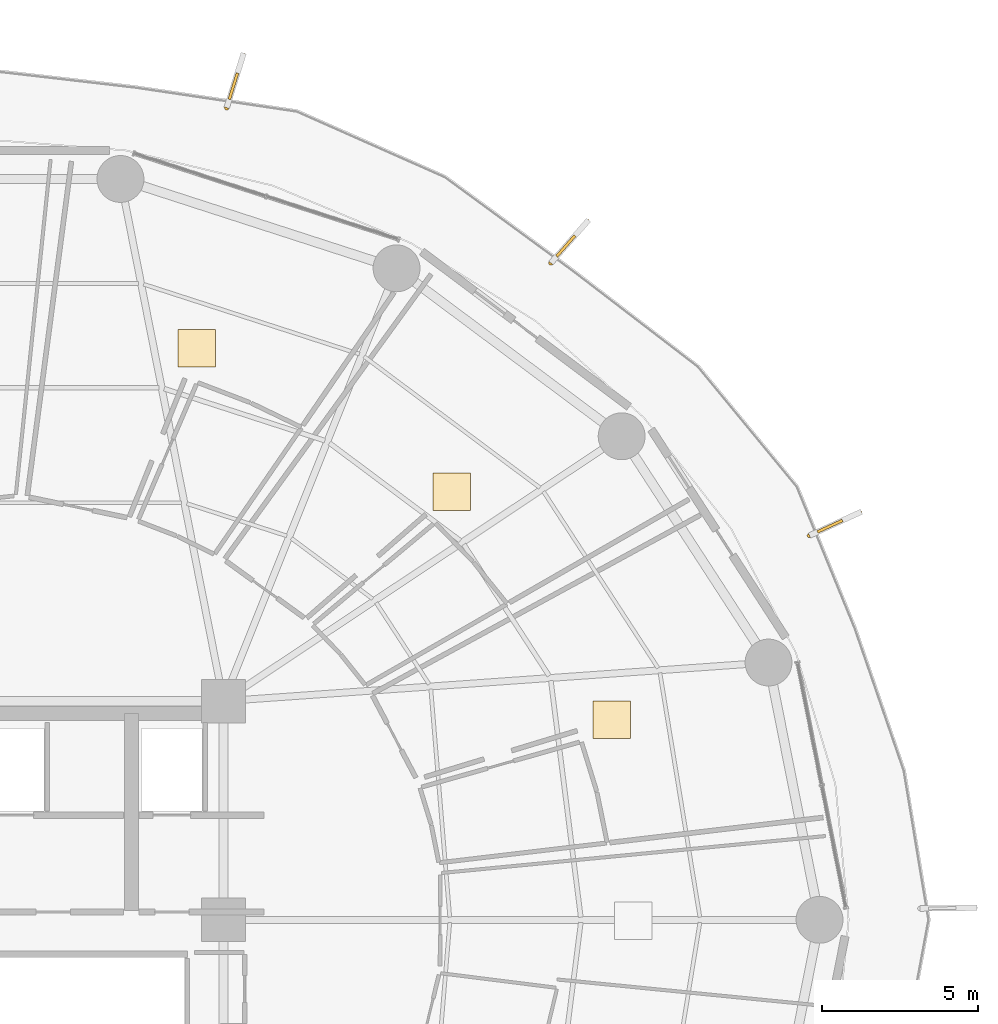
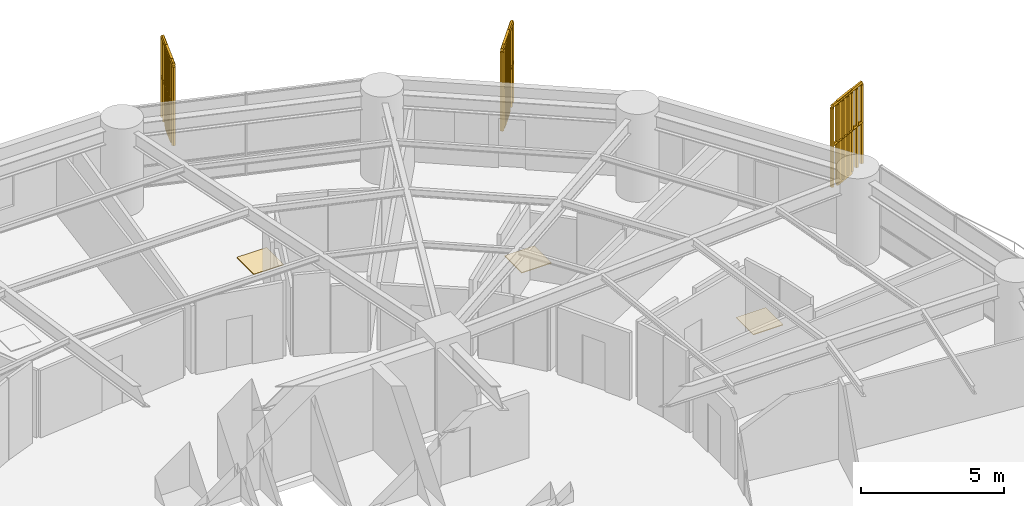
# One storey, part 32 of 32: 3 coverings, 3 railings, 3 shading devices.
"""IFC4 building model written with IfcOpenShell, lengths in metres."""

from ifc_helpers import new_model, si_unit, direction, frame, origin, origin_2d, place, context, subcontext, project, spatial, polyline, rectangle, outline, extrude, source, transform, mapped, material, layer, layer_set, type_object, element, save


model = new_model("IFC4")

# Units and contexts
model_context = context("Model", 3, precision=1e-05, world=origin(), true_north=direction((0.0, 1.0)))
body_context = subcontext(model_context, "Body", "Model", "MODEL_VIEW")
ifc_project = project(units=[si_unit("LENGTHUNIT", "METRE"), si_unit("AREAUNIT", "SQUARE_METRE"), si_unit("VOLUMEUNIT", "CUBIC_METRE"), si_unit("PLANEANGLEUNIT", "RADIAN"), si_unit("MASSUNIT", "GRAM", prefix="KILO")], contexts=[model_context])

# Site, building, storey
site_placement = place(None, origin())
site = spatial("IfcSite", under=ifc_project, at=site_placement, CompositionType="ELEMENT")
building_placement = place(site_placement, origin())
building = spatial("IfcBuilding", under=site, at=building_placement, Name="Kelanora Arch Commons", CompositionType="ELEMENT")
storey_placement = place(building_placement, frame((0.0, 0.0, 48.75)))
storey = spatial("IfcBuildingStorey", under=building, at=storey_placement, Name="L12", CompositionType="ELEMENT", Elevation=48.75)

# Railings
ifc_material_1 = material(Name="Anodised bronze vertical shading fin rib assembly")
railing_type = type_object("IfcRailingType", Name="RAIL-FIN-BRZ", PredefinedType="BALUSTRADE", material=ifc_material_1)
railing_1_placement = place(storey_placement, frame((100.759521484375, 70.300537109375, -0.02001953125)))
element("IfcRailing", 1, at=railing_1_placement, inside=storey, type_object=railing_type, Name="Sweeping Bronze Vertical Fin Blade L12-00", PredefinedType="BALUSTRADE", context=body_context, shape_type="SweptSolid", body=[
    extrude(outline(polyline([(0.06982421875, 0.0), (0.034912109375, 0.060546875), (-0.034912109375, 0.060546875), (-0.06982421875, 0.0), (-0.034912109375, -0.060546875), (0.034912109375, -0.060546875), (0.06982421875, 0.0)])), frame((0.0, 0.0, 3.419921875), z_axis=(0.908589016754, 0.417691271916, 0.0), x_axis=(-0.417691271916, 0.908589016754, 0.0)), (0.0, 0.0, 1.0), 1.767578125),
    extrude(outline(polyline([(0.06982421875, 0.0), (0.034912109375, 0.060546875), (-0.034912109375, 0.060546875), (-0.06982421875, 0.0), (-0.034912109375, -0.060546875), (0.034912109375, -0.060546875), (0.06982421875, 0.0)])), frame((0.0, 0.0, 1.7451171875), z_axis=(0.908589016754, 0.417691271916, 0.0), x_axis=(-0.417691271916, 0.908589016754, 0.0)), (0.0, 0.0, 1.0), 1.767578125),
    extrude(outline(polyline([(0.080078125, 0.0), (0.0400390625, 0.0693359375), (-0.0400390625, 0.0693359375), (-0.080078125, 0.0), (-0.0400390625, -0.0693359375), (0.0400390625, -0.0693359375), (0.080078125, 0.0)])), origin(), (0.0, 0.0, 1.0), 3.35009765625),
    extrude(outline(polyline([(0.080078125, 0.0), (0.0400390625, 0.0693359375), (-0.0400390625, 0.0693359375), (-0.080078125, 0.0), (-0.0400390625, -0.0693359375), (0.0400390625, -0.0693359375), (0.080078125, 0.0)])), frame((0.267578125, 0.123046875, 0.0)), (0.0, 0.0, 1.0), 3.35009765625),
    extrude(outline(polyline([(0.080078125, 0.0), (0.0400390625, 0.0693359375), (-0.0400390625, 0.0693359375), (-0.080078125, 0.0), (-0.0400390625, -0.0693359375), (0.0400390625, -0.0693359375), (0.080078125, 0.0)])), frame((0.535400390625, 0.24609375, 0.0)), (0.0, 0.0, 1.0), 3.35009765625),
    extrude(outline(polyline([(0.080078125, 0.0), (0.0400390625, 0.0693359375), (-0.0400390625, 0.0693359375), (-0.080078125, 0.0), (-0.0400390625, -0.0693359375), (0.0400390625, -0.0693359375), (0.080078125, 0.0)])), frame((0.802978515625, 0.369140625, 0.0)), (0.0, 0.0, 1.0), 3.35009765625),
    extrude(outline(polyline([(0.080078125, 0.0), (0.0400390625, 0.0693359375), (-0.0400390625, 0.0693359375), (-0.080078125, 0.0), (-0.0400390625, -0.0693359375), (0.0400390625, -0.0693359375), (0.080078125, 0.0)])), frame((1.070556640625, 0.4921875, 0.0)), (0.0, 0.0, 1.0), 3.35009765625),
    extrude(outline(polyline([(0.080078125, 0.0), (0.0400390625, 0.0693359375), (-0.0400390625, 0.0693359375), (-0.080078125, 0.0), (-0.0400390625, -0.0693359375), (0.0400390625, -0.0693359375), (0.080078125, 0.0)])), frame((1.33837890625, 0.615234375, 0.0)), (0.0, 0.0, 1.0), 3.35009765625),
    extrude(outline(polyline([(0.080078125, 0.0), (0.0400390625, 0.0693359375), (-0.0400390625, 0.0693359375), (-0.080078125, 0.0), (-0.0400390625, -0.0693359375), (0.0400390625, -0.0693359375), (0.080078125, 0.0)])), frame((1.60595703125, 0.73828125, 0.0)), (0.0, 0.0, 1.0), 3.35009765625),
])
railing_2_placement = place(storey_placement, frame((92.48095703125, 79.02685546875, -0.02001953125)))
element("IfcRailing", 2, at=railing_2_placement, inside=storey, type_object=railing_type, Name="Sweeping Bronze Vertical Fin Blade L12-01", PredefinedType="BALUSTRADE", context=body_context, shape_type="SweptSolid", body=[
    extrude(outline(polyline([(0.06982421875, 0.0), (0.034912109375, 0.060546875), (-0.034912109375, 0.060546875), (-0.06982421875, 0.0), (-0.034912109375, -0.060546875), (0.034912109375, -0.060546875), (0.06982421875, 0.0)])), frame((0.0, 0.0, 3.419921875), z_axis=(0.660126416745, 0.751154520665, 0.0), x_axis=(-0.751154520665, 0.660126416745, 0.0)), (0.0, 0.0, 1.0), 1.767578125),
    extrude(outline(polyline([(0.06982421875, 0.0), (0.034912109375, 0.060546875), (-0.034912109375, 0.060546875), (-0.06982421875, 0.0), (-0.034912109375, -0.060546875), (0.034912109375, -0.060546875), (0.06982421875, 0.0)])), frame((0.0, 0.0, 1.7451171875), z_axis=(0.660126416745, 0.751154520665, 0.0), x_axis=(-0.751154520665, 0.660126416745, 0.0)), (0.0, 0.0, 1.0), 1.767578125),
    extrude(outline(polyline([(0.080078125, 0.0), (0.0400390625, 0.0693359375), (-0.0400390625, 0.0693359375), (-0.080078125, 0.0), (-0.0400390625, -0.0693359375), (0.0400390625, -0.0693359375), (0.080078125, 0.0)])), origin(), (0.0, 0.0, 1.0), 3.35009765625),
    extrude(outline(polyline([(0.080078125, 0.0), (0.0400390625, 0.0693359375), (-0.0400390625, 0.0693359375), (-0.080078125, 0.0), (-0.0400390625, -0.0693359375), (0.0400390625, -0.0693359375), (0.080078125, 0.0)])), frame((0.1943359375, 0.22119140625, 0.0)), (0.0, 0.0, 1.0), 3.35009765625),
    extrude(outline(polyline([(0.080078125, 0.0), (0.0400390625, 0.0693359375), (-0.0400390625, 0.0693359375), (-0.080078125, 0.0), (-0.0400390625, -0.0693359375), (0.0400390625, -0.0693359375), (0.080078125, 0.0)])), frame((0.388916015625, 0.442626953125, 0.0)), (0.0, 0.0, 1.0), 3.35009765625),
    extrude(outline(polyline([(0.080078125, 0.0), (0.0400390625, 0.0693359375), (-0.0400390625, 0.0693359375), (-0.080078125, 0.0), (-0.0400390625, -0.0693359375), (0.0400390625, -0.0693359375), (0.080078125, 0.0)])), frame((0.58349609375, 0.663818359375, 0.0)), (0.0, 0.0, 1.0), 3.35009765625),
    extrude(outline(polyline([(0.080078125, 0.0), (0.0400390625, 0.0693359375), (-0.0400390625, 0.0693359375), (-0.080078125, 0.0), (-0.0400390625, -0.0693359375), (0.0400390625, -0.0693359375), (0.080078125, 0.0)])), frame((0.77783203125, 0.885009765625, 0.0)), (0.0, 0.0, 1.0), 3.35009765625),
    extrude(outline(polyline([(0.080078125, 0.0), (0.0400390625, 0.0693359375), (-0.0400390625, 0.0693359375), (-0.080078125, 0.0), (-0.0400390625, -0.0693359375), (0.0400390625, -0.0693359375), (0.080078125, 0.0)])), frame((0.97216796875, 1.1064453125, 0.0)), (0.0, 0.0, 1.0), 3.35009765625),
    extrude(outline(polyline([(0.080078125, 0.0), (0.0400390625, 0.0693359375), (-0.0400390625, 0.0693359375), (-0.080078125, 0.0), (-0.0400390625, -0.0693359375), (0.0400390625, -0.0693359375), (0.080078125, 0.0)])), frame((1.166748046875, 1.32763671875, 0.0)), (0.0, 0.0, 1.0), 3.35009765625),
])
railing_3_placement = place(storey_placement, frame((82.103515625, 83.996337890625, -0.02001953125)))
element("IfcRailing", 3, at=railing_3_placement, inside=storey, type_object=railing_type, Name="Sweeping Bronze Vertical Fin Blade L12-02", PredefinedType="BALUSTRADE", context=body_context, shape_type="SweptSolid", body=[
    extrude(outline(polyline([(0.06982421875, 0.0), (0.034912109375, 0.060546875), (-0.034912109375, 0.060546875), (-0.06982421875, 0.0), (-0.034912109375, -0.060546875), (0.034912109375, -0.060546875), (0.06982421875, 0.0)])), frame((0.0, 0.0, 3.419921875), z_axis=(0.297559124206, 0.954703392474, 0.0), x_axis=(-0.954703392474, 0.297559124206, 0.0)), (0.0, 0.0, 1.0), 1.767333984375),
    extrude(outline(polyline([(0.06982421875, 0.0), (0.034912109375, 0.060546875), (-0.034912109375, 0.060546875), (-0.06982421875, 0.0), (-0.034912109375, -0.060546875), (0.034912109375, -0.060546875), (0.06982421875, 0.0)])), frame((0.0, 0.0, 1.7451171875), z_axis=(0.297559124206, 0.954703392474, 0.0), x_axis=(-0.954703392474, 0.297559124206, 0.0)), (0.0, 0.0, 1.0), 1.767333984375),
    extrude(outline(polyline([(0.080078125, 0.0), (0.0400390625, 0.0693359375), (-0.0400390625, 0.0693359375), (-0.080078125, 0.0), (-0.0400390625, -0.0693359375), (0.0400390625, -0.0693359375), (0.080078125, 0.0)])), origin(), (0.0, 0.0, 1.0), 3.35009765625),
    extrude(outline(polyline([(0.080078125, 0.0), (0.0400390625, 0.0693359375), (-0.0400390625, 0.0693359375), (-0.080078125, 0.0), (-0.0400390625, -0.0693359375), (0.0400390625, -0.0693359375), (0.080078125, 0.0)])), frame((0.087646484375, 0.28125, 0.0)), (0.0, 0.0, 1.0), 3.35009765625),
    extrude(outline(polyline([(0.080078125, 0.0), (0.0400390625, 0.0693359375), (-0.0400390625, 0.0693359375), (-0.080078125, 0.0), (-0.0400390625, -0.0693359375), (0.0400390625, -0.0693359375), (0.080078125, 0.0)])), frame((0.17529296875, 0.5625, 0.0)), (0.0, 0.0, 1.0), 3.35009765625),
    extrude(outline(polyline([(0.080078125, 0.0), (0.0400390625, 0.0693359375), (-0.0400390625, 0.0693359375), (-0.080078125, 0.0), (-0.0400390625, -0.0693359375), (0.0400390625, -0.0693359375), (0.080078125, 0.0)])), frame((0.262939453125, 0.84375, 0.0)), (0.0, 0.0, 1.0), 3.35009765625),
    extrude(outline(polyline([(0.080078125, 0.0), (0.0400390625, 0.0693359375), (-0.0400390625, 0.0693359375), (-0.080078125, 0.0), (-0.0400390625, -0.0693359375), (0.0400390625, -0.0693359375), (0.080078125, 0.0)])), frame((0.3505859375, 1.124755859375, 0.0)), (0.0, 0.0, 1.0), 3.35009765625),
    extrude(outline(polyline([(0.080078125, 0.0), (0.0400390625, 0.0693359375), (-0.0400390625, 0.0693359375), (-0.080078125, 0.0), (-0.0400390625, -0.0693359375), (0.0400390625, -0.0693359375), (0.080078125, 0.0)])), frame((0.438232421875, 1.406005859375, 0.0)), (0.0, 0.0, 1.0), 3.35009765625),
    extrude(outline(polyline([(0.080078125, 0.0), (0.0400390625, 0.0693359375), (-0.0400390625, 0.0693359375), (-0.080078125, 0.0), (-0.0400390625, -0.0693359375), (0.0400390625, -0.0693359375), (0.080078125, 0.0)])), frame((0.52587890625, 1.687255859375, 0.0)), (0.0, 0.0, 1.0), 3.35009765625),
])

# Shading devices
ifc_material_2 = material(Name="Terracotta ceramic-clad extruded aluminium fin", Category="masonry")
shading_device_type = type_object("IfcShadingDeviceType", Name="SHD-FIN-FLARE", PredefinedType="USERDEFINED", material=ifc_material_2)
shared_shape_1 = source(origin(), body_context, "Body", "SweptSolid", [
    extrude(rectangle(XDim=0.8798828125, YDim=0.090087890625, at=origin_2d()), origin(), (0.0, 0.0, 1.0), 3.610107421875),
])
for number, where, z_axis, x_axis, name in (
    (4, (101.413818359375, 70.601318359375, -0.14013671875), (0.0, 0.0, 1.0), (0.908581095252, 0.417708502848, 0.0), "Sweeping Terracotta Fin L12-00"),
    (5, (92.956298828125, 79.567626953125, -0.14013671875), (0.0, 0.0, 1.0), (0.660132778235, 0.75114893004, 0.0), "Sweeping Terracotta Fin L12-01"),
    (6, (82.317626953125, 84.68359375, -0.14013671875), (0.0, 0.0, 1.0), (0.297541506743, 0.954708883255, 0.0), "Sweeping Terracotta Fin L12-02"),
):
    element("IfcShadingDevice", number, at=place(storey_placement, frame(where, z_axis=z_axis, x_axis=x_axis)), inside=storey, type_object=shading_device_type, Name=name, ObjectType="FIN", PredefinedType="USERDEFINED", context=body_context, shape_type="MappedRepresentation", body=[
        mapped(shared_shape_1, transform((0.0, 0.0, 0.0), scale=1.0)),
    ])

# Coverings
ifc_material_3 = material(Name="Polished local granite terrazzo flooring", Category="masonry")
ifc_layer = layer(ifc_material_3, 0.030029296875)
ifc_layer_set = layer_set([ifc_layer], Name="Polished local granite terrazzo flooring")
covering_type = type_object("IfcCoveringType", Name="COV-FLR-TER", PredefinedType="FLOORING", material=ifc_layer_set)
shared_shape_2 = source(origin(), body_context, "Body", "SweptSolid", [
    extrude(rectangle(XDim=1.199951171875, YDim=1.199951171875, at=origin_2d()), origin(), (0.0, 0.0, 1.0), 0.030029296875),
])
for number, where, z_axis, x_axis, name in (
    (7, (94.42822265625, 64.403564453125, 0.0), (0.0, 0.0, 1.0), (1.0, 0.0, 0.0), "Co-Living Studio L12-01 Terrazzo Finish"),
    (8, (89.30517578125, 71.70849609375, 0.0), (0.0, 0.0, 1.0), (1.0, 0.0, 0.0), "Co-Living Studio L12-02 Terrazzo Finish"),
    (9, (81.150390625, 76.2978515625, 0.0), (0.0, 0.0, 1.0), (1.0, 0.0, 0.0), "Co-Living Studio L12-03 Terrazzo Finish"),
):
    element("IfcCovering", number, at=place(storey_placement, frame(where, z_axis=z_axis, x_axis=x_axis)), inside=storey, type_object=covering_type, Name=name, PredefinedType="FLOORING", context=body_context, shape_type="MappedRepresentation", body=[
        mapped(shared_shape_2, transform((0.0, 0.0, 0.0), scale=1.0)),
    ])

save(model, "model.ifc")
